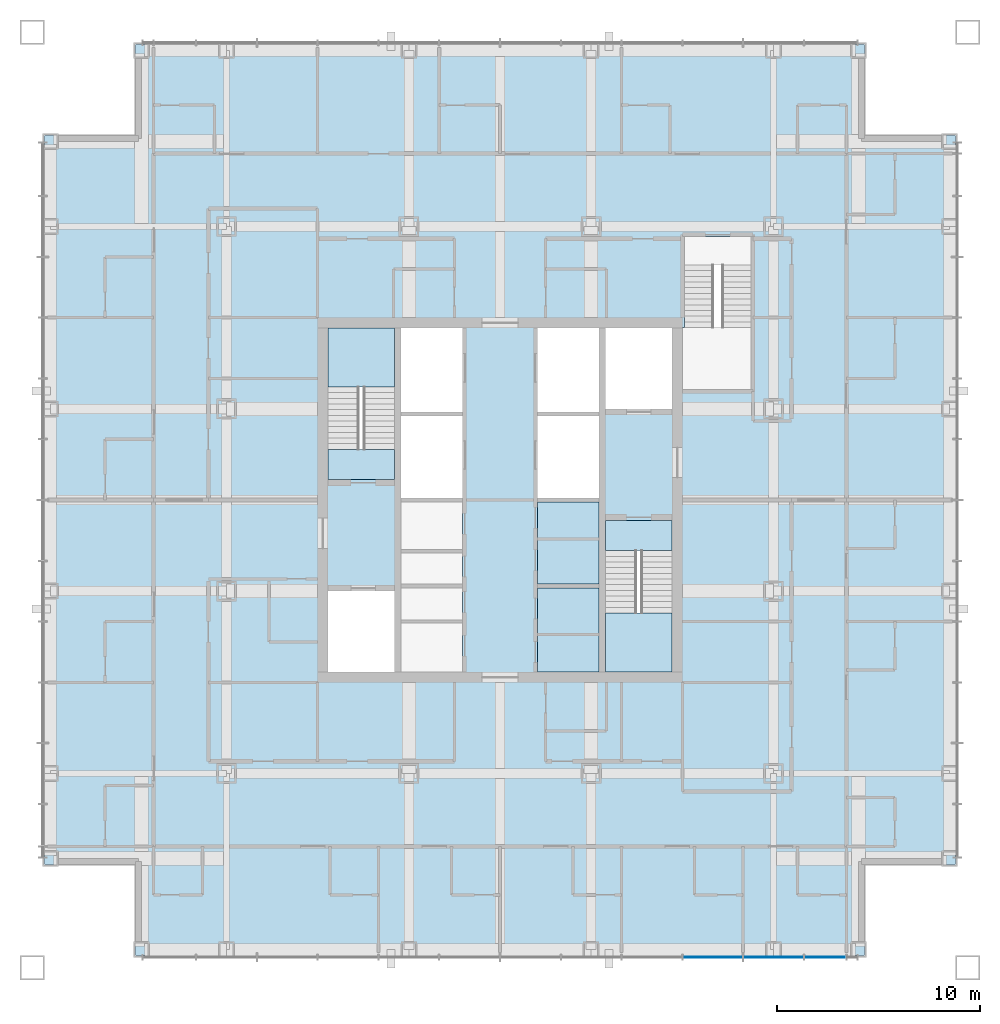
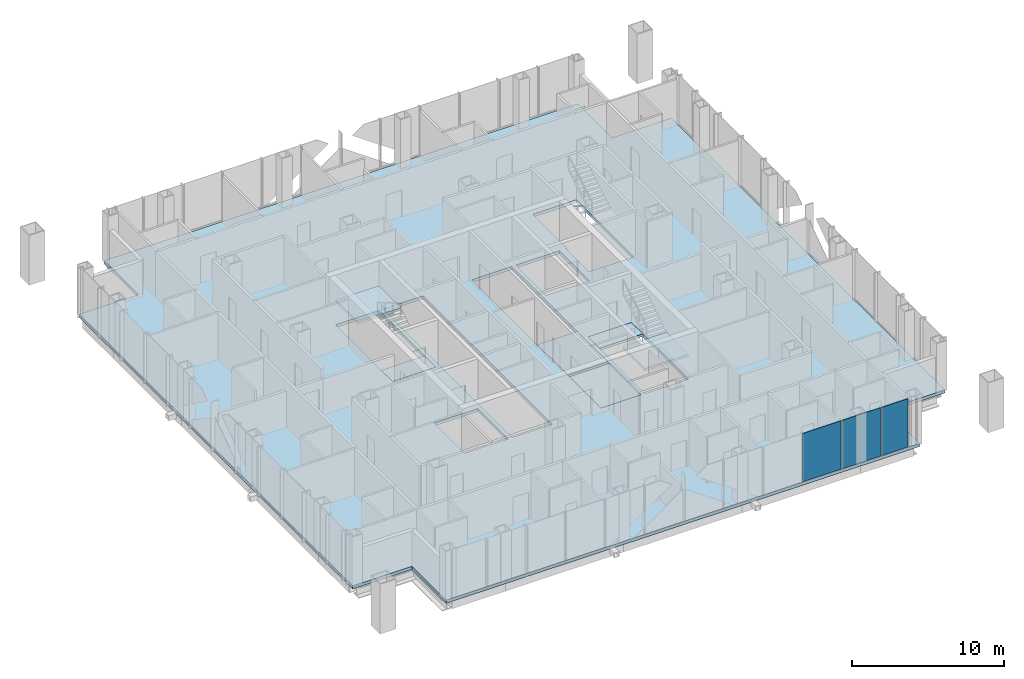
# One storey, part 8 of 17: 7 slabs, 3 plates, 3 elements without a shape of their own.
"""IFC4 building model written with IfcOpenShell, lengths in metres."""

from ifc_helpers import new_model, si_unit, direction, frame, origin, origin_2d, place, context, subcontext, project, spatial, polyline, rectangle, outline, extrude, material, layer, layer_set, type_object, element, aggregate, save


model = new_model("IFC4")

# Units and contexts
model_context = context("Model", 3, precision=1e-05, world=origin(), true_north=direction((0.0, 1.0)))
body_context = subcontext(model_context, "Body", "Model", "MODEL_VIEW")
ifc_project = project(units=[si_unit("LENGTHUNIT", "METRE"), si_unit("AREAUNIT", "SQUARE_METRE"), si_unit("VOLUMEUNIT", "CUBIC_METRE"), si_unit("PLANEANGLEUNIT", "RADIAN"), si_unit("MASSUNIT", "GRAM", prefix="KILO")], contexts=[model_context])

# Site, building, storey
site_placement = place(None, origin())
site = spatial("IfcSite", under=ifc_project, at=site_placement, CompositionType="ELEMENT")
building_placement = place(site_placement, origin())
building = spatial("IfcBuilding", under=site, at=building_placement, Name="Malebo Sky Hospital", CompositionType="ELEMENT")
storey_placement = place(building_placement, frame((0.0, 0.0, 189.0)))
storey = spatial("IfcBuildingStorey", under=building, at=storey_placement, Name="L45", CompositionType="ELEMENT", Elevation=189.0)

# Slabs
ifc_material_1 = material(Name="Concrete C40/50", Category="concrete")
ifc_layer_1 = layer(ifc_material_1, 0.25)
ifc_layer_set_1 = layer_set([ifc_layer_1], Name="COMPOSITE FLOOR SLAB 250")
slab_type_1 = type_object("IfcSlabType", Name="COMPOSITE FLOOR SLAB 250", PredefinedType="FLOOR", material=ifc_layer_set_1)
slab_1_placement = place(storey_placement, frame((0.0, 0.0, -0.25)))
element("IfcSlab", 1, at=slab_1_placement, inside=storey, type_object=slab_type_1, Name="Floor slab L45", PredefinedType="FLOOR", context=body_context, shape_type="SweptSolid", body=[
    extrude(outline(polyline([(42.0, 84.5), (42.0, 80.0), (37.5, 80.0), (37.5, 44.0), (42.0, 44.0), (42.0, 39.5), (78.0, 39.5), (78.0, 44.0), (82.5, 44.0), (82.5, 80.0), (78.0, 80.0), (78.0, 84.5), (42.0, 84.5)]), holes=[polyline([(55.10009765625, 70.5), (58.14990234375, 70.5), (58.14990234375, 53.5), (55.10009765625, 53.5), (55.10009765625, 70.5)]), polyline([(64.89990234375, 70.5), (64.89990234375, 53.5), (61.85009765625, 53.5), (61.85009765625, 70.5), (64.89990234375, 70.5)]), polyline([(54.800048828125, 63.0), (51.5, 63.0), (51.5, 70.5), (54.800048828125, 70.5), (54.800048828125, 63.0)]), polyline([(51.5, 53.5), (51.5, 57.5), (54.800048828125, 57.5), (54.800048828125, 53.5), (51.5, 53.5)]), polyline([(65.199951171875, 61.0), (68.5, 61.0), (68.5, 53.5), (65.199951171875, 53.5), (65.199951171875, 61.0)]), polyline([(68.5, 70.5), (68.5, 66.5), (65.199951171875, 66.5), (65.199951171875, 70.5), (68.5, 70.5)]), polyline([(69.0, 67.449951171875), (69.0, 70.52001953125), (69.10009765625, 70.52001953125), (69.10009765625, 75.0), (72.39990234375, 75.0), (72.39990234375, 67.449951171875), (69.10009765625, 67.449951171875), (69.0, 67.449951171875)])]), origin(), (0.0, 0.0, 1.0), 0.25),
])
ifc_layer_2 = layer(ifc_material_1, 0.25)
ifc_layer_set_2 = layer_set([ifc_layer_2], Name="SHAFT INFILL SLAB 250")
slab_type_2 = type_object("IfcSlabType", Name="SHAFT INFILL SLAB 250", PredefinedType="FLOOR", material=ifc_layer_set_2)
slab_2_placement = place(storey_placement, frame((0.0, 0.0, -0.25)))
element("IfcSlab", 2, at=slab_2_placement, inside=storey, type_object=slab_type_2, Name="Shaft infill slab E1 L45", PredefinedType="FLOOR", context=body_context, shape_type="SweptSolid", body=[
    extrude(outline(polyline([(61.85009765625, 53.5), (64.89990234375, 53.5), (64.89990234375, 57.64990234375), (61.85009765625, 57.64990234375), (61.85009765625, 53.5)])), origin(), (0.0, 0.0, 1.0), 0.25),
])
slab_3_placement = place(storey_placement, frame((0.0, 0.0, -0.25)))
element("IfcSlab", 3, at=slab_3_placement, inside=storey, type_object=slab_type_2, Name="Shaft infill slab E2 L45", PredefinedType="FLOOR", context=body_context, shape_type="SweptSolid", body=[
    extrude(outline(polyline([(61.85009765625, 57.85009765625), (64.89990234375, 57.85009765625), (64.89990234375, 61.89990234375), (61.85009765625, 61.89990234375), (61.85009765625, 57.85009765625)])), origin(), (0.0, 0.0, 1.0), 0.25),
])

# Stair, slabs
stair_type = type_object("IfcStairType", Name="HALF-TURN STAIR 1500 R167", PredefinedType="HALF_TURN_STAIR", material=ifc_material_1)
stair_1_placement = place(storey_placement, origin())
stair_1 = element("IfcStair", 4, at=stair_1_placement, inside=storey, type_object=stair_type, Name="Stair S1 L45 type ST1", PredefinedType="HALF_TURN_STAIR")
ifc_layer_3 = layer(ifc_material_1, 0.199951171875)
ifc_layer_set_3 = layer_set([ifc_layer_3], Name="STAIR LANDING 200")
slab_type_3 = type_object("IfcSlabType", Name="STAIR LANDING 200", PredefinedType="LANDING", material=ifc_layer_set_3)
slab_4_placement = place(storey_placement, frame((0.0, 0.0, -0.199951171875)))
slab_4 = element("IfcSlab", 5, at=slab_4_placement, type_object=slab_type_3, Name="S1 landing 1", PredefinedType="LANDING", context=body_context, shape_type="SweptSolid", body=[
    extrude(outline(polyline([(51.5, 63.0), (54.800048828125, 63.0), (54.800048828125, 64.5), (51.5, 64.5), (51.5, 63.0)])), origin(), (0.0, 0.0, 1.0), 0.199951171875),
])
slab_5_placement = place(storey_placement, frame((0.0, 0.0, 1.800048828125)))
slab_5 = element("IfcSlab", 6, at=slab_5_placement, type_object=slab_type_3, Name="S1 landing 2", PredefinedType="LANDING", context=body_context, shape_type="SweptSolid", body=[
    extrude(outline(polyline([(51.5, 67.580078125), (54.800048828125, 67.580078125), (54.800048828125, 70.5), (51.5, 70.5), (51.5, 67.580078125)])), origin(), (0.0, 0.0, 1.0), 0.199951171875),
])
aggregate(stair_1, [slab_4, slab_5])

stair_2_placement = place(storey_placement, origin())
stair_2 = element("IfcStair", 7, at=stair_2_placement, inside=storey, type_object=stair_type, Name="Stair S2 L45 type ST1", PredefinedType="HALF_TURN_STAIR")
slab_6_placement = place(storey_placement, frame((0.0, 0.0, -0.199951171875)))
slab_6 = element("IfcSlab", 8, at=slab_6_placement, type_object=slab_type_3, Name="S2 landing 1", PredefinedType="LANDING", context=body_context, shape_type="SweptSolid", body=[
    extrude(outline(polyline([(65.199951171875, 59.5), (68.5, 59.5), (68.5, 61.0), (65.199951171875, 61.0), (65.199951171875, 59.5)])), origin(), (0.0, 0.0, 1.0), 0.199951171875),
])
slab_7_placement = place(storey_placement, frame((0.0, 0.0, 1.800048828125)))
slab_7 = element("IfcSlab", 9, at=slab_7_placement, type_object=slab_type_3, Name="S2 landing 2", PredefinedType="LANDING", context=body_context, shape_type="SweptSolid", body=[
    extrude(outline(polyline([(65.199951171875, 53.5), (68.5, 53.5), (68.5, 56.419921875), (65.199951171875, 56.419921875), (65.199951171875, 53.5)])), origin(), (0.0, 0.0, 1.0), 0.199951171875),
])
aggregate(stair_2, [slab_6, slab_7])

# Curtain wall, plates
ifc_material_2 = material(Name="Anodised aluminium, natural silver", Category="aluminium")
ifc_layer_4 = layer(ifc_material_2, 0.25)
ifc_layer_set_4 = layer_set([ifc_layer_4], Name="WARD CURTAIN WALL NORTH AND SOUTH")
curtain_wall_type = type_object("IfcCurtainWallType", Name="WARD CURTAIN WALL NORTH AND SOUTH", PredefinedType="NOTDEFINED", material=ifc_layer_set_4)
curtain_wall_placement = place(storey_placement, origin())
curtain_wall = element("IfcCurtainWall", 10, at=curtain_wall_placement, inside=storey, type_object=curtain_wall_type, Name="NS curtain wall S", PredefinedType="NOTDEFINED")
ifc_material_3 = material(Name="Clear low-iron double glazing", Category="glass")
ifc_layer_5 = layer(ifc_material_3, 0.031982421875)
ifc_layer_set_5 = layer_set([ifc_layer_5], Name="VISION PANEL CLEAR 32")
plate_type = type_object("IfcPlateType", Name="VISION PANEL CLEAR 32", PredefinedType="CURTAIN_PANEL", material=ifc_layer_set_5)
plate_1_placement = place(storey_placement, frame((76.050048828125, 39.425048828125, 0.10009765625), z_axis=(0.0, 0.0, 1.0), x_axis=(-1.0, 0.0, 0.0)))
plate_1 = element("IfcPlate", 11, at=plate_1_placement, type_object=plate_type, Name="Panel 2", PredefinedType="CURTAIN_PANEL", context=body_context, shape_type="SweptSolid", body=[
    extrude(rectangle(XDim=2.02490234375, YDim=0.031982421875, at=origin_2d()), origin(), (0.0, 0.0, 1.0), 3.889892578125),
])
plate_2_placement = place(storey_placement, frame((73.5, 39.425048828125, 0.10009765625), z_axis=(0.0, 0.0, 1.0), x_axis=(-1.0, 0.0, 0.0)))
plate_2 = element("IfcPlate", 12, at=plate_2_placement, type_object=plate_type, Name="Panel 3", PredefinedType="CURTAIN_PANEL", context=body_context, shape_type="SweptSolid", body=[
    extrude(rectangle(XDim=2.925048828125, YDim=0.031982421875, at=origin_2d()), origin(), (0.0, 0.0, 1.0), 3.889892578125),
])
plate_3_placement = place(storey_placement, frame((70.5, 39.425048828125, 0.10009765625), z_axis=(0.0, 0.0, 1.0), x_axis=(-1.0, 0.0, 0.0)))
plate_3 = element("IfcPlate", 13, at=plate_3_placement, type_object=plate_type, Name="Panel 4", PredefinedType="CURTAIN_PANEL", context=body_context, shape_type="SweptSolid", body=[
    extrude(rectangle(XDim=2.925048828125, YDim=0.031982421875, at=origin_2d()), origin(), (0.0, 0.0, 1.0), 3.889892578125),
])
aggregate(curtain_wall, [plate_1, plate_2, plate_3])

save(model, "model.ifc")
